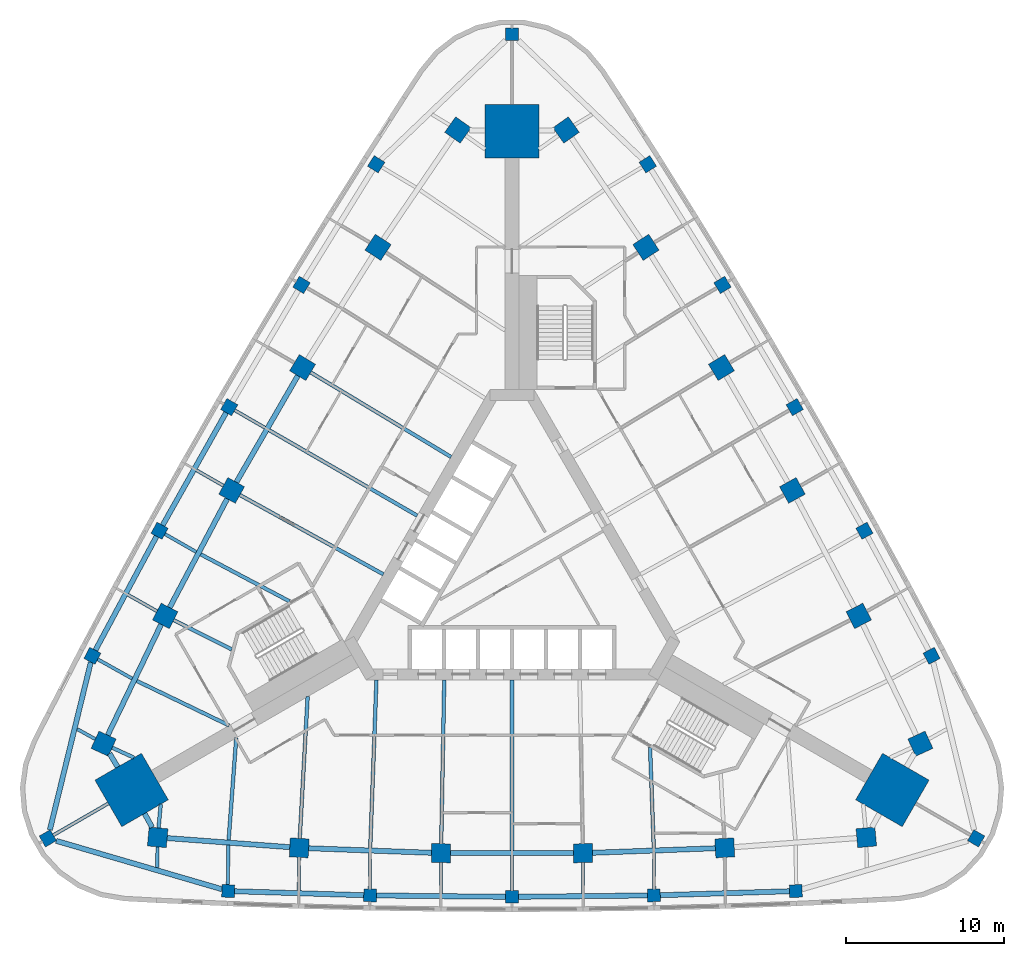
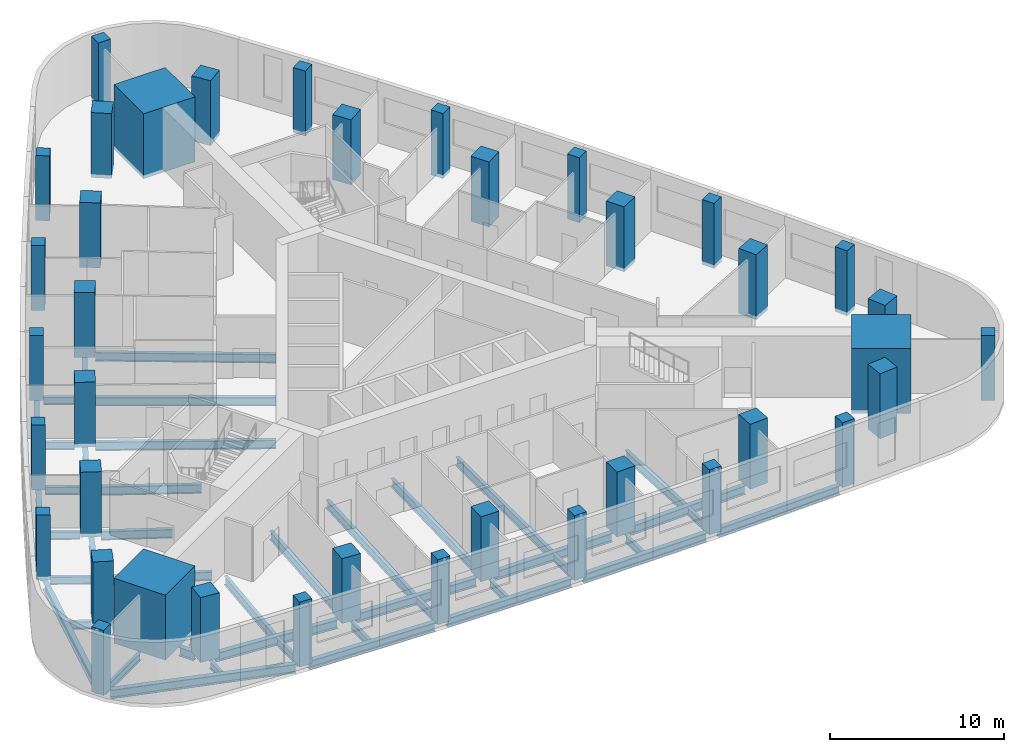
# One storey, part 1 of 11: 46 beams, 39 columns.
"""IFC4 building model written with IfcOpenShell, lengths in metres."""

from ifc_helpers import new_model, si_unit, direction, frame, origin, origin_2d, place, context, subcontext, project, spatial, rectangle, i_section, extrude, material, material_profile, profile_set, type_object, element, save


model = new_model("IFC4")

# Units and contexts
model_context = context("Model", 3, precision=1e-05, world=origin(), true_north=direction((0.0, 1.0)))
body_context = subcontext(model_context, "Body", "Model", "MODEL_VIEW")
ifc_project = project(units=[si_unit("LENGTHUNIT", "METRE"), si_unit("AREAUNIT", "SQUARE_METRE"), si_unit("VOLUMEUNIT", "CUBIC_METRE"), si_unit("PLANEANGLEUNIT", "RADIAN"), si_unit("MASSUNIT", "GRAM", prefix="KILO")], contexts=[model_context])

# Site, building, storey
site_placement = place(None, origin())
site = spatial("IfcSite", under=ifc_project, at=site_placement, CompositionType="ELEMENT")
building_placement = place(site_placement, origin())
building = spatial("IfcBuilding", under=site, at=building_placement, Name="Noor Cloister Tower", CompositionType="ELEMENT")
storey_placement = place(building_placement, frame((0.0, 0.0, 19.5)))
storey = spatial("IfcBuildingStorey", under=building, at=storey_placement, Name="L04", CompositionType="ELEMENT", Elevation=19.5)

# Columns
ifc_material_1 = material(Name="Concrete C80/95", Category="concrete")
ifc_material_profile_1 = material_profile(ifc_material_1, rectangle(XDim=3.39990234375, YDim=3.39990234375, at=origin_2d()), Name="RC 3400x3400")
ifc_profile_set_1 = profile_set([ifc_material_profile_1], Name="Concrete C80/95")
column_type_1 = type_object("IfcColumnType", Name="Corner pier 3400 x 3400 C80/95", PredefinedType="COLUMN", material=ifc_profile_set_1)
for number, where, z_axis, x_axis, name in (
    (1, (0.0, 27.7890625, -0.25), (0.0, 0.0, 1.0), (0.0, 1.0, 0.0), "Corner pier N L04"),
    (2, (-24.06591796875, -13.89453125, -0.25), (0.0, 0.0, 1.0), (-0.866025403784, -0.5, 0.0), "Corner pier SW L04"),
    (3, (24.06591796875, -13.89453125, -0.25), (0.0, 0.0, 1.0), (0.866025403784, -0.5, 0.0), "Corner pier SE L04"),
):
    element("IfcColumn", number, at=place(storey_placement, frame(where, z_axis=z_axis, x_axis=x_axis)), inside=storey, type_object=column_type_1, Name=name, PredefinedType="COLUMN", context=body_context, shape_type="SweptSolid", body=[
        extrude(rectangle(XDim=3.39990234375, YDim=3.39990234375, at=origin_2d()), origin(), (0.0, 0.0, 1.0), 4.550048828125),
    ])
ifc_material_2 = material(Name="Concrete C80/95", Category="concrete")
ifc_material_profile_2 = material_profile(ifc_material_2, rectangle(XDim=1.199951171875, YDim=1.199951171875, at=origin_2d()), Name="Podium column 1200")
ifc_profile_set_2 = profile_set([ifc_material_profile_2], Name="Concrete C80/95")
column_type_2 = type_object("IfcColumnType", Name="Podium column 1200", PredefinedType="COLUMN", material=ifc_profile_set_2)
for number, where, z_axis, x_axis, name in (
    (4, (-3.421142578125, 27.85986328125, -0.25), (0.0, 0.0, 1.0), (-0.815983256934, 0.578075535205, 0.0), "Column NW 00"),
    (5, (-8.474853515625, 20.43798828125, -0.25), (0.0, 0.0, 1.0), (-0.836867705394, 0.547405191489, 0.0), "Column NW 02"),
    (6, (-13.249755859375, 12.833740234375, -0.25), (0.0, 0.0, 1.0), (-0.856599929156, 0.515981163775, 0.0), "Column NW 04"),
    (7, (-17.7392578125, 5.0576171875, -0.25), (0.0, 0.0, 1.0), (-0.875152760281, 0.483846717641, 0.0), "Column NW 06"),
    (8, (-21.937255859375, -2.879638671875, -0.25), (0.0, 0.0, 1.0), (-0.89250065469, 0.451046096733, 0.0), "Column NW 08"),
    (9, (-25.837890625, -10.96728515625, -0.25), (0.0, 0.0, 1.0), (-0.908619727261, 0.417624461966, 0.0), "Column NW 10"),
    (10, (-22.416748046875, -16.892578125, -0.25), (0.0, 0.0, 1.0), (-0.092636470327, -0.995699997171, 0.0), "Column S 00"),
    (11, (-13.46240234375, -17.558349609375, -0.25), (0.0, 0.0, 1.0), (-0.055632949296, -0.998451288222, 0.0), "Column S 02"),
    (12, (-4.489501953125, -17.8916015625, -0.25), (0.0, 0.0, 1.0), (-0.018552831126, -0.999827881416, 0.0), "Column S 04"),
    (13, (4.489501953125, -17.8916015625, -0.25), (0.0, 0.0, 1.0), (0.018552831126, -0.999827881416, 0.0), "Column S 06"),
    (14, (13.46240234375, -17.558349609375, -0.25), (0.0, 0.0, 1.0), (0.055632949296, -0.998451288222, 0.0), "Column S 08"),
    (15, (22.416748046875, -16.892578125, -0.25), (0.0, 0.0, 1.0), (0.092636470327, -0.995699997171, 0.0), "Column S 10"),
    (16, (25.837890625, -10.96728515625, -0.25), (0.0, 0.0, 1.0), (0.908619727261, 0.417624461966, 0.0), "Column NE 00"),
    (17, (21.937255859375, -2.879638671875, -0.25), (0.0, 0.0, 1.0), (0.89250065469, 0.451046096733, 0.0), "Column NE 02"),
    (18, (17.7392578125, 5.0576171875, -0.25), (0.0, 0.0, 1.0), (0.875152760281, 0.483846717641, 0.0), "Column NE 04"),
    (19, (13.249755859375, 12.833740234375, -0.25), (0.0, 0.0, 1.0), (0.856599929156, 0.515981163775, 0.0), "Column NE 06"),
    (20, (8.474853515625, 20.43798828125, -0.25), (0.0, 0.0, 1.0), (0.836867705394, 0.547405191489, 0.0), "Column NE 08"),
    (21, (3.421142578125, 27.85986328125, -0.25), (0.0, 0.0, 1.0), (0.815983256934, 0.578075535205, 0.0), "Column NE 10"),
):
    element("IfcColumn", number, at=place(storey_placement, frame(where, z_axis=z_axis, x_axis=x_axis)), inside=storey, type_object=column_type_2, Name=name, PredefinedType="COLUMN", context=body_context, shape_type="SweptSolid", body=[
        extrude(rectangle(XDim=1.199951171875, YDim=1.199951171875, at=origin_2d()), origin(), (0.0, 0.0, 1.0), 4.550048828125),
    ])
ifc_material_3 = material(Name="Concrete C60/75", Category="concrete")
ifc_material_profile_3 = material_profile(ifc_material_3, rectangle(XDim=0.800048828125, YDim=0.800048828125, at=origin_2d()), Name="Podium column 800")
ifc_profile_set_3 = profile_set([ifc_material_profile_3], Name="Concrete C60/75")
column_type_3 = type_object("IfcColumnType", Name="Podium column 800", PredefinedType="COLUMN", material=ifc_profile_set_3)
for number, where, z_axis, x_axis, name in (
    (22, (0.0, 33.9130859375, -0.25), (0.0, 0.0, 1.0), (0.0, 1.0, 0.0), "Perimeter column N"),
    (23, (-8.59228515625, 25.694580078125, -0.25), (0.0, 0.0, 1.0), (-0.844762079338, 0.535142064607, 0.0), "Perimeter column NW 01"),
    (24, (-13.31982421875, 18.059326171875, -0.25), (0.0, 0.0, 1.0), (-0.855574189811, 0.517680215702, 0.0), "Perimeter column NW 03"),
    (25, (-17.8896484375, 10.32861328125, -0.25), (0.0, 0.0, 1.0), (-0.866025403784, 0.5, 0.0), "Perimeter column NW 05"),
    (26, (-22.2998046875, 2.505615234375, -0.25), (0.0, 0.0, 1.0), (-0.87611131274, 0.482108875348, 0.0), "Perimeter column NW 07"),
    (27, (-26.54833984375, -5.406005859375, -0.25), (0.0, 0.0, 1.0), (-0.885827662253, 0.464014388557, 0.0), "Perimeter column NW 09"),
    (28, (-29.36962890625, -16.95654296875, -0.25), (0.0, 0.0, 1.0), (-0.866025403784, -0.5, 0.0), "Perimeter column SW"),
    (29, (-17.955810546875, -20.288330078125, -0.25), (0.0, 0.0, 1.0), (-0.041065582914, -0.999156453164, 0.0), "Perimeter column S 01"),
    (30, (-8.979736328125, -20.56494140625, -0.25), (0.0, 0.0, 1.0), (-0.020537122929, -0.99978909105, 0.0), "Perimeter column S 03"),
    (31, (0.0, -20.6572265625, -0.25), (0.0, 0.0, 1.0), (0.0, -1.0, 0.0), "Perimeter column S 05"),
    (32, (8.979736328125, -20.56494140625, -0.25), (0.0, 0.0, 1.0), (0.020537122929, -0.99978909105, 0.0), "Perimeter column S 07"),
    (33, (17.955810546875, -20.288330078125, -0.25), (0.0, 0.0, 1.0), (0.041065582914, -0.999156453164, 0.0), "Perimeter column S 09"),
    (34, (29.36962890625, -16.95654296875, -0.25), (0.0, 0.0, 1.0), (0.866025403784, -0.5, 0.0), "Perimeter column SE"),
    (35, (26.54833984375, -5.406005859375, -0.25), (0.0, 0.0, 1.0), (0.885827662253, 0.464014388557, 0.0), "Perimeter column NE 01"),
    (36, (22.2998046875, 2.505615234375, -0.25), (0.0, 0.0, 1.0), (0.87611131274, 0.482108875348, 0.0), "Perimeter column NE 03"),
    (37, (17.8896484375, 10.32861328125, -0.25), (0.0, 0.0, 1.0), (0.866025403784, 0.5, 0.0), "Perimeter column NE 05"),
    (38, (13.31982421875, 18.059326171875, -0.25), (0.0, 0.0, 1.0), (0.855574189811, 0.517680215702, 0.0), "Perimeter column NE 07"),
    (39, (8.59228515625, 25.694580078125, -0.25), (0.0, 0.0, 1.0), (0.844762079338, 0.535142064607, 0.0), "Perimeter column NE 09"),
):
    element("IfcColumn", number, at=place(storey_placement, frame(where, z_axis=z_axis, x_axis=x_axis)), inside=storey, type_object=column_type_3, Name=name, PredefinedType="COLUMN", context=body_context, shape_type="SweptSolid", body=[
        extrude(rectangle(XDim=0.800048828125, YDim=0.800048828125, at=origin_2d()), origin(), (0.0, 0.0, 1.0), 4.550048828125),
    ])

# Beams
ifc_material_4 = material(Name="Steel ASTM A992 Gr 50", Category="steel")
ifc_material_profile_4 = material_profile(ifc_material_4, i_section(OverallWidth=0.324951171875, OverallDepth=0.612060546875, WebThickness=0.0126953125, FlangeThickness=0.01904296875, FilletRadius=0.0126953125, at=origin_2d()), Name="W610x155")
ifc_profile_set_4 = profile_set([ifc_material_profile_4], Name="Steel ASTM A992 Gr 50")
beam_type_1 = type_object("IfcBeamType", Name="Podium column line beam W610x155", PredefinedType="BEAM", material=ifc_profile_set_4)
beam_1_placement = place(storey_placement, frame((-13.5498046875, 12.314208984375, -0.555908203125), z_axis=(-0.499990506207, -0.866030884959, 0.0), x_axis=(0.866030884959, -0.499990506207, 0.0)))
element("IfcBeam", 40, at=beam_1_placement, inside=storey, type_object=beam_type_1, Name="Podium column line beam NW 04 L04", PredefinedType="BEAM", context=body_context, shape_type="SweptSolid", body=[
    extrude(i_section(OverallWidth=0.324951171875, OverallDepth=0.612060546875, WebThickness=0.0126953125, FlangeThickness=0.01904296875, FilletRadius=0.0126953125, at=origin_2d()), origin(), (0.0, 0.0, 1.0), 7.779052734375),
])
for number, where, z_axis, x_axis, name in (
    (41, (-18.019775390625, 4.527099609375, -0.555908203125), (-0.467547366886, -0.883968019624, 0.0), (0.883968019624, -0.467547366886, 0.0), "Podium column line beam NW 06 L04"),
    (42, (-22.197998046875, -3.420166015625, -0.555908203125), (-0.434400589533, -0.900719783181, 0.0), (0.900719783181, -0.434400589533, 0.0), "Podium column line beam NW 08 L04"),
):
    element("IfcBeam", number, at=place(storey_placement, frame(where, z_axis=z_axis, x_axis=x_axis)), inside=storey, type_object=beam_type_1, Name=name, PredefinedType="BEAM", context=body_context, shape_type="SweptSolid", body=[
        extrude(i_section(OverallWidth=0.324951171875, OverallDepth=0.612060546875, WebThickness=0.0126953125, FlangeThickness=0.01904296875, FilletRadius=0.0126953125, at=origin_2d()), origin(), (0.0, 0.0, 1.0), 7.77880859375),
    ])
for number, where, z_axis, x_axis, name in (
    (43, (-21.818359375, -16.93701171875, -0.555908203125), (0.997246218275, -0.074161850945, 0.0), (0.074161850945, 0.997246218275, 0.0), "Podium column line beam S 00 L04"),
    (44, (-12.86279296875, -17.58056640625, -0.555908203125), (0.999311691731, -0.037096398343, 0.0), (0.037096398343, 0.999311691731, 0.0), "Podium column line beam S 02 L04"),
):
    element("IfcBeam", number, at=place(storey_placement, frame(where, z_axis=z_axis, x_axis=x_axis)), inside=storey, type_object=beam_type_1, Name=name, PredefinedType="BEAM", context=body_context, shape_type="SweptSolid", body=[
        extrude(i_section(OverallWidth=0.324951171875, OverallDepth=0.612060546875, WebThickness=0.0126953125, FlangeThickness=0.01904296875, FilletRadius=0.0126953125, at=origin_2d()), origin(), (0.0, 0.0, 1.0), 7.779052734375),
    ])
beam_2_placement = place(storey_placement, frame((-3.889404296875, -17.8916015625, -0.555908203125), z_axis=(1.0, 0.0, 0.0), x_axis=(0.0, 1.0, 0.0)))
element("IfcBeam", 45, at=beam_2_placement, inside=storey, type_object=beam_type_1, Name="Podium column line beam S 04 L04", PredefinedType="BEAM", context=body_context, shape_type="SweptSolid", body=[
    extrude(i_section(OverallWidth=0.324951171875, OverallDepth=0.612060546875, WebThickness=0.0126953125, FlangeThickness=0.01904296875, FilletRadius=0.0126953125, at=origin_2d()), origin(), (0.0, 0.0, 1.0), 7.77880859375),
])
beam_3_placement = place(storey_placement, frame((5.089111328125, -17.869140625, -0.555908203125), z_axis=(0.999311691731, 0.037096398343, 0.0), x_axis=(-0.037096398343, 0.999311691731, 0.0)))
element("IfcBeam", 46, at=beam_3_placement, inside=storey, type_object=beam_type_1, Name="Podium column line beam S 06 L04", PredefinedType="BEAM", context=body_context, shape_type="SweptSolid", body=[
    extrude(i_section(OverallWidth=0.324951171875, OverallDepth=0.612060546875, WebThickness=0.0126953125, FlangeThickness=0.01904296875, FilletRadius=0.0126953125, at=origin_2d()), origin(), (0.0, 0.0, 1.0), 7.779052734375),
])
for number, where, z_axis, x_axis, name in (
    (47, (-25.46240234375, -11.58740234375, -0.555908203125), (0.517698861359, -0.855562907651, 0.0), (0.855562907651, 0.517698861359, 0.0), "Podium end beam NW 10 L04"),
    (48, (-22.76611328125, -16.257568359375, -0.555908203125), (-0.48185292196, 0.876252110753, 0.0), (-0.876252110753, -0.48185292196, 0.0), "Podium end beam S 00 L04"),
):
    element("IfcBeam", number, at=place(storey_placement, frame(where, z_axis=z_axis, x_axis=x_axis)), inside=storey, type_object=beam_type_1, Name=name, PredefinedType="BEAM", context=body_context, shape_type="SweptSolid", body=[
        extrude(i_section(OverallWidth=0.324951171875, OverallDepth=0.612060546875, WebThickness=0.0126953125, FlangeThickness=0.01904296875, FilletRadius=0.0126953125, at=origin_2d()), origin(), (0.0, 0.0, 1.0), 0.99658203125),
    ])
ifc_material_5 = material(Name="Steel ASTM A992 Gr 50", Category="steel")
ifc_material_profile_5 = material_profile(ifc_material_5, i_section(OverallWidth=0.324951171875, OverallDepth=0.616943359375, WebThickness=0.013916015625, FlangeThickness=0.021484375, FilletRadius=0.0126953125, at=origin_2d()), Name="W610x174")
ifc_profile_set_5 = profile_set([ifc_material_profile_5], Name="Steel ASTM A992 Gr 50")
beam_type_2 = type_object("IfcBeamType", Name="Podium perimeter beam W610x174", PredefinedType="BEAM", material=ifc_profile_set_5)
for number, where, z_axis, x_axis, name in (
    (49, (-18.086181640625, 9.980224609375, -0.55859375), (-0.491071539523, -0.871119247331, 0.0), (0.871119247331, -0.491071539523, 0.0), "Podium perimeter beam 04 L04"),
    (50, (-22.489013671875, 2.1533203125, -0.55859375), (-0.47307258725, -0.881023454394, 0.0), (0.881023454394, -0.47307258725, 0.0), "Podium perimeter beam 05 L04"),
):
    element("IfcBeam", number, at=place(storey_placement, frame(where, z_axis=z_axis, x_axis=x_axis)), inside=storey, type_object=beam_type_2, Name=name, PredefinedType="BEAM", context=body_context, shape_type="SweptSolid", body=[
        extrude(i_section(OverallWidth=0.324951171875, OverallDepth=0.616943359375, WebThickness=0.013916015625, FlangeThickness=0.021484375, FilletRadius=0.0126953125, at=origin_2d()), origin(), (0.0, 0.0, 1.0), 8.18017578125),
    ])
for number, where, z_axis, x_axis, name in (
    (51, (-26.64599609375, -5.806396484375, -0.55859375), (-0.237289539542, -0.971438971024, 0.0), (0.971438971024, -0.237289539542, 0.0), "Podium perimeter beam 06 L04"),
    (52, (-28.83837890625, -17.111572265625, -0.55859375), (0.959935397728, -0.280221398522, 0.0), (0.280221398522, 0.959935397728, 0.0), "Podium perimeter beam 07 L04"),
):
    element("IfcBeam", number, at=place(storey_placement, frame(where, z_axis=z_axis, x_axis=x_axis)), inside=storey, type_object=beam_type_2, Name=name, PredefinedType="BEAM", context=body_context, shape_type="SweptSolid", body=[
        extrude(i_section(OverallWidth=0.324951171875, OverallDepth=0.616943359375, WebThickness=0.013916015625, FlangeThickness=0.021484375, FilletRadius=0.0126953125, at=origin_2d()), origin(), (0.0, 0.0, 1.0), 10.924560546875),
    ])
for number, where, z_axis, x_axis, name in (
    (53, (-17.55615234375, -20.30078125, -0.55859375), (0.999525578868, -0.030799629673, 0.0), (0.030799629673, 0.999525578868, 0.0), "Podium perimeter beam 08 L04"),
    (54, (-8.579833984375, -20.569091796875, -0.55859375), (0.999947297246, -0.010266583204, 0.0), (0.010266583204, 0.999947297246, 0.0), "Podium perimeter beam 09 L04"),
    (55, (0.39990234375, -20.653076171875, -0.55859375), (0.999947297246, 0.010266583204, 0.0), (-0.010266583204, 0.999947297246, 0.0), "Podium perimeter beam 10 L04"),
    (56, (9.379638671875, -20.552734375, -0.55859375), (0.999525578868, 0.030799629673, 0.0), (-0.030799629673, 0.999525578868, 0.0), "Podium perimeter beam 11 L04"),
):
    element("IfcBeam", number, at=place(storey_placement, frame(where, z_axis=z_axis, x_axis=x_axis)), inside=storey, type_object=beam_type_2, Name=name, PredefinedType="BEAM", context=body_context, shape_type="SweptSolid", body=[
        extrude(i_section(OverallWidth=0.324951171875, OverallDepth=0.616943359375, WebThickness=0.013916015625, FlangeThickness=0.021484375, FilletRadius=0.0126953125, at=origin_2d()), origin(), (0.0, 0.0, 1.0), 8.180419921875),
    ])
ifc_material_6 = material(Name="Steel ASTM A992 Gr 50", Category="steel")
ifc_material_profile_6 = material_profile(ifc_material_6, i_section(OverallWidth=0.22900390625, OverallDepth=0.612060546875, WebThickness=0.011962890625, FlangeThickness=0.01953125, FilletRadius=0.0126953125, at=origin_2d()), Name="W610x125")
ifc_profile_set_6 = profile_set([ifc_material_profile_6], Name="Steel ASTM A992 Gr 50")
beam_type_3 = type_object("IfcBeamType", Name="Podium radial beam W610x125", PredefinedType="BEAM", material=ifc_profile_set_6)
beam_4_placement = place(storey_placement, frame((-12.73583984375, 12.524169921875, -0.555908203125), z_axis=(0.856606308575, -0.515970572911, 0.0), x_axis=(0.515970572911, 0.856606308575, 0.0)))
element("IfcBeam", 57, at=beam_4_placement, inside=storey, type_object=beam_type_3, Name="Podium radial beam NW 04 L04", PredefinedType="BEAM", context=body_context, shape_type="SweptSolid", body=[
    extrude(i_section(OverallWidth=0.22900390625, OverallDepth=0.612060546875, WebThickness=0.011962890625, FlangeThickness=0.01953125, FilletRadius=0.0126953125, at=origin_2d()), origin(), (0.0, 0.0, 1.0), 10.365234375),
])
beam_5_placement = place(storey_placement, frame((-15.353759765625, 8.864501953125, -0.555908203125), z_axis=(0.866025607992, -0.499999646302, 0.0), x_axis=(0.499999646302, 0.866025607992, 0.0)))
element("IfcBeam", 58, at=beam_5_placement, inside=storey, type_object=beam_type_3, Name="Podium radial beam NW 05 L04", PredefinedType="BEAM", context=body_context, shape_type="SweptSolid", body=[
    extrude(i_section(OverallWidth=0.22900390625, OverallDepth=0.612060546875, WebThickness=0.011962890625, FlangeThickness=0.01953125, FilletRadius=0.0126953125, at=origin_2d()), origin(), (0.0, 0.0, 1.0), 10.80078125),
])
beam_6_placement = place(storey_placement, frame((-17.214111328125, 4.767333984375, -0.555908203125), z_axis=(0.875152039929, -0.483848020568, 0.0), x_axis=(0.483848020568, 0.875152039929, 0.0)))
element("IfcBeam", 59, at=beam_6_placement, inside=storey, type_object=beam_type_3, Name="Podium radial beam NW 06 L04", PredefinedType="BEAM", context=body_context, shape_type="SweptSolid", body=[
    extrude(i_section(OverallWidth=0.22900390625, OverallDepth=0.612060546875, WebThickness=0.011962890625, FlangeThickness=0.01953125, FilletRadius=0.0126953125, at=origin_2d()), origin(), (0.0, 0.0, 1.0), 10.364990234375),
])
beam_7_placement = place(storey_placement, frame((-19.694580078125, 1.01318359375, -0.555908203125), z_axis=(0.883972630555, -0.467538649129, 0.0), x_axis=(0.467538649129, 0.883972630555, 0.0)))
element("IfcBeam", 60, at=beam_7_placement, inside=storey, type_object=beam_type_3, Name="Podium radial beam NW 07 L04", PredefinedType="BEAM", context=body_context, shape_type="SweptSolid", body=[
    extrude(i_section(OverallWidth=0.22900390625, OverallDepth=0.612060546875, WebThickness=0.011962890625, FlangeThickness=0.01953125, FilletRadius=0.0126953125, at=origin_2d()), origin(), (0.0, 0.0, 1.0), 6.36328125),
])
beam_8_placement = place(storey_placement, frame((-21.401611328125, -3.150146484375, -0.555908203125), z_axis=(0.892482631296, -0.451081758481, 0.0), x_axis=(0.451081758481, 0.892482631296, 0.0)))
element("IfcBeam", 61, at=beam_8_placement, inside=storey, type_object=beam_type_3, Name="Podium radial beam NW 08 L04", PredefinedType="BEAM", context=body_context, shape_type="SweptSolid", body=[
    extrude(i_section(OverallWidth=0.22900390625, OverallDepth=0.612060546875, WebThickness=0.011962890625, FlangeThickness=0.01953125, FilletRadius=0.0126953125, at=origin_2d()), origin(), (0.0, 0.0, 1.0), 4.110595703125),
])
beam_9_placement = place(storey_placement, frame((-23.7412109375, -6.993896484375, -0.555908203125), z_axis=(0.900702438264, -0.43443655199, 0.0), x_axis=(0.43443655199, 0.900702438264, 0.0)))
element("IfcBeam", 62, at=beam_9_placement, inside=storey, type_object=beam_type_3, Name="Podium radial beam NW 09 L04", PredefinedType="BEAM", context=body_context, shape_type="SweptSolid", body=[
    extrude(i_section(OverallWidth=0.22900390625, OverallDepth=0.612060546875, WebThickness=0.011962890625, FlangeThickness=0.01953125, FilletRadius=0.0126953125, at=origin_2d()), origin(), (0.0, 0.0, 1.0), 6.489013671875),
])
for number, where, z_axis, x_axis, name in (
    (63, (-25.292724609375, -11.2177734375, -0.555908203125), (0.908602193803, -0.417662607157, 0.0), (0.417662607157, 0.908602193803, 0.0), "Podium radial beam NW 10 L04"),
    (64, (-22.361328125, -16.295166015625, -0.555908203125), (0.09269423525, 0.995694621233, 0.0), (-0.995694621233, 0.09269423525, 0.0), "Podium radial beam S 00 L04"),
):
    element("IfcBeam", number, at=place(storey_placement, frame(where, z_axis=z_axis, x_axis=x_axis)), inside=storey, type_object=beam_type_3, Name=name, PredefinedType="BEAM", context=body_context, shape_type="SweptSolid", body=[
        extrude(i_section(OverallWidth=0.22900390625, OverallDepth=0.612060546875, WebThickness=0.011962890625, FlangeThickness=0.01953125, FilletRadius=0.0126953125, at=origin_2d()), origin(), (0.0, 0.0, 1.0), 1.50927734375),
    ])
beam_10_placement = place(storey_placement, frame((-17.927490234375, -17.0634765625, -0.555908203125), z_axis=(0.074118366359, 0.997249451125, 0.0), x_axis=(-0.997249451125, 0.074118366359, 0.0)))
element("IfcBeam", 65, at=beam_10_placement, inside=storey, type_object=beam_type_3, Name="Podium radial beam S 01 L04", PredefinedType="BEAM", context=body_context, shape_type="SweptSolid", body=[
    extrude(i_section(OverallWidth=0.22900390625, OverallDepth=0.612060546875, WebThickness=0.011962890625, FlangeThickness=0.01953125, FilletRadius=0.0126953125, at=origin_2d()), origin(), (0.0, 0.0, 1.0), 6.489013671875),
])
beam_11_placement = place(storey_placement, frame((-13.428955078125, -16.959228515625, -0.555908203125), z_axis=(0.055623451445, 0.99845181739, 0.0), x_axis=(-0.99845181739, 0.055623451445, 0.0)))
element("IfcBeam", 66, at=beam_11_placement, inside=storey, type_object=beam_type_3, Name="Podium radial beam S 02 L04", PredefinedType="BEAM", context=body_context, shape_type="SweptSolid", body=[
    extrude(i_section(OverallWidth=0.22900390625, OverallDepth=0.612060546875, WebThickness=0.011962890625, FlangeThickness=0.01953125, FilletRadius=0.0126953125, at=origin_2d()), origin(), (0.0, 0.0, 1.0), 8.989013671875),
])
beam_12_placement = place(storey_placement, frame((-8.969970703125, -17.5625, -0.555908203125), z_axis=(0.037097363231, 0.999311655912, 0.0), x_axis=(-0.999311655912, 0.037097363231, 0.0)))
element("IfcBeam", 67, at=beam_12_placement, inside=storey, type_object=beam_type_3, Name="Podium radial beam S 03 L04", PredefinedType="BEAM", context=body_context, shape_type="SweptSolid", body=[
    extrude(i_section(OverallWidth=0.22900390625, OverallDepth=0.612060546875, WebThickness=0.011962890625, FlangeThickness=0.01953125, FilletRadius=0.0126953125, at=origin_2d()), origin(), (0.0, 0.0, 1.0), 10.6416015625),
])
beam_13_placement = place(storey_placement, frame((-4.478515625, -17.29150390625, -0.555908203125), z_axis=(0.018560692037, 0.999827735518, 0.0), x_axis=(-0.999827735518, 0.018560692037, 0.0)))
element("IfcBeam", 68, at=beam_13_placement, inside=storey, type_object=beam_type_3, Name="Podium radial beam S 04 L04", PredefinedType="BEAM", context=body_context, shape_type="SweptSolid", body=[
    extrude(i_section(OverallWidth=0.22900390625, OverallDepth=0.612060546875, WebThickness=0.011962890625, FlangeThickness=0.01953125, FilletRadius=0.0126953125, at=origin_2d()), origin(), (0.0, 0.0, 1.0), 10.364990234375),
])
beam_14_placement = place(storey_placement, frame((0.0, -17.72900390625, -0.555908203125), z_axis=(0.0, 1.0, 0.0), x_axis=(-1.0, 0.0, 0.0)))
element("IfcBeam", 69, at=beam_14_placement, inside=storey, type_object=beam_type_3, Name="Podium radial beam S 05 L04", PredefinedType="BEAM", context=body_context, shape_type="SweptSolid", body=[
    extrude(i_section(OverallWidth=0.22900390625, OverallDepth=0.612060546875, WebThickness=0.011962890625, FlangeThickness=0.01953125, FilletRadius=0.0126953125, at=origin_2d()), origin(), (0.0, 0.0, 1.0), 10.80078125),
])
beam_15_placement = place(storey_placement, frame((8.969970703125, -17.5625, -0.555908203125), z_axis=(-0.037101061142, 0.999311518628, 0.0), x_axis=(-0.999311518628, -0.037101061142, 0.0)))
element("IfcBeam", 70, at=beam_15_placement, inside=storey, type_object=beam_type_3, Name="Podium radial beam S 07 L04", PredefinedType="BEAM", context=body_context, shape_type="SweptSolid", body=[
    extrude(i_section(OverallWidth=0.22900390625, OverallDepth=0.612060546875, WebThickness=0.011962890625, FlangeThickness=0.01953125, FilletRadius=0.0126953125, at=origin_2d()), origin(), (0.0, 0.0, 1.0), 6.36328125),
])
ifc_material_7 = material(Name="Steel ASTM A992 Gr 50", Category="steel")
ifc_material_profile_7 = material_profile(ifc_material_7, i_section(OverallWidth=0.208984375, OverallDepth=0.532958984375, WebThickness=0.01025390625, FlangeThickness=0.015625, FilletRadius=0.0126953125, at=origin_2d()), Name="W530x92")
ifc_profile_set_7 = profile_set([ifc_material_profile_7], Name="Steel ASTM A992 Gr 50")
beam_type_4 = type_object("IfcBeamType", Name="Podium stub beam W530x92", PredefinedType="BEAM", material=ifc_profile_set_7)
beam_16_placement = place(storey_placement, frame((-15.63525390625, 9.027099609375, -0.5166015625), z_axis=(-0.86602503688, 0.500000635496, 0.0), x_axis=(-0.500000635496, -0.86602503688, 0.0)))
element("IfcBeam", 71, at=beam_16_placement, inside=storey, type_object=beam_type_4, Name="Podium stub beam NW 05 L04", PredefinedType="BEAM", context=body_context, shape_type="SweptSolid", body=[
    extrude(i_section(OverallWidth=0.208984375, OverallDepth=0.532958984375, WebThickness=0.01025390625, FlangeThickness=0.015625, FilletRadius=0.0126953125, at=origin_2d()), origin(), (0.0, 0.0, 1.0), 2.203125),
])
beam_17_placement = place(storey_placement, frame((-18.259765625, 5.356201171875, -0.5166015625), z_axis=(-0.867389720101, 0.497629453974, 0.0), x_axis=(-0.497629453974, -0.867389720101, 0.0)))
element("IfcBeam", 72, at=beam_17_placement, inside=storey, type_object=beam_type_4, Name="Podium stub beam NW 06 L04", PredefinedType="BEAM", context=body_context, shape_type="SweptSolid", body=[
    extrude(i_section(OverallWidth=0.208984375, OverallDepth=0.532958984375, WebThickness=0.01025390625, FlangeThickness=0.015625, FilletRadius=0.0126953125, at=origin_2d()), origin(), (0.0, 0.0, 1.0), 1.95703125),
])
beam_18_placement = place(storey_placement, frame((-19.980224609375, 1.16845703125, -0.5166015625), z_axis=(-0.868954795395, 0.494891466446, 0.0), x_axis=(-0.494891466446, -0.868954795395, 0.0)))
element("IfcBeam", 73, at=beam_18_placement, inside=storey, type_object=beam_type_4, Name="Podium stub beam NW 07 L04", PredefinedType="BEAM", context=body_context, shape_type="SweptSolid", body=[
    extrude(i_section(OverallWidth=0.208984375, OverallDepth=0.532958984375, WebThickness=0.01025390625, FlangeThickness=0.015625, FilletRadius=0.0126953125, at=origin_2d()), origin(), (0.0, 0.0, 1.0), 2.277099609375),
])
beam_19_placement = place(storey_placement, frame((-22.460205078125, -2.583984375, -0.5166015625), z_axis=(-0.870610366402, 0.491973159748, 0.0), x_axis=(-0.491973159748, -0.870610366402, 0.0)))
element("IfcBeam", 74, at=beam_19_placement, inside=storey, type_object=beam_type_4, Name="Podium stub beam NW 08 L04", PredefinedType="BEAM", context=body_context, shape_type="SweptSolid", body=[
    extrude(i_section(OverallWidth=0.208984375, OverallDepth=0.532958984375, WebThickness=0.01025390625, FlangeThickness=0.015625, FilletRadius=0.0126953125, at=origin_2d()), origin(), (0.0, 0.0, 1.0), 2.1044921875),
])
beam_20_placement = place(storey_placement, frame((-24.03076171875, -6.84619140625, -0.5166015625), z_axis=(-0.872502684482, 0.488609317933, 0.0), x_axis=(-0.488609317933, -0.872502684482, 0.0)))
element("IfcBeam", 75, at=beam_20_placement, inside=storey, type_object=beam_type_4, Name="Podium stub beam NW 09 L04", PredefinedType="BEAM", context=body_context, shape_type="SweptSolid", body=[
    extrude(i_section(OverallWidth=0.208984375, OverallDepth=0.532958984375, WebThickness=0.01025390625, FlangeThickness=0.015625, FilletRadius=0.0126953125, at=origin_2d()), origin(), (0.0, 0.0, 1.0), 2.499267578125),
])
beam_21_placement = place(storey_placement, frame((-26.3642578125, -10.675537109375, -0.5166015625), z_axis=(-0.874735573686, 0.484600532531, 0.0), x_axis=(-0.484600532531, -0.874735573686, 0.0)))
element("IfcBeam", 76, at=beam_21_placement, inside=storey, type_object=beam_type_4, Name="Podium stub beam NW 10 L04", PredefinedType="BEAM", context=body_context, shape_type="SweptSolid", body=[
    extrude(i_section(OverallWidth=0.208984375, OverallDepth=0.532958984375, WebThickness=0.01025390625, FlangeThickness=0.015625, FilletRadius=0.0126953125, at=origin_2d()), origin(), (0.0, 0.0, 1.0), 1.31298828125),
])
beam_22_placement = place(storey_placement, frame((-22.427490234375, -17.494140625, -0.5166015625), z_axis=(-0.017661803966, -0.999844018175, 0.0), x_axis=(0.999844018175, -0.017661803966, 0.0)))
element("IfcBeam", 77, at=beam_22_placement, inside=storey, type_object=beam_type_4, Name="Podium stub beam S 00 L04", PredefinedType="BEAM", context=body_context, shape_type="SweptSolid", body=[
    extrude(i_section(OverallWidth=0.208984375, OverallDepth=0.532958984375, WebThickness=0.01025390625, FlangeThickness=0.015625, FilletRadius=0.0126953125, at=origin_2d()), origin(), (0.0, 0.0, 1.0), 1.313232421875),
])
beam_23_placement = place(storey_placement, frame((-17.9443359375, -17.38818359375, -0.5166015625), z_axis=(-0.013089929593, -0.999914323201, 0.0), x_axis=(0.999914323201, -0.013089929593, 0.0)))
element("IfcBeam", 78, at=beam_23_placement, inside=storey, type_object=beam_type_4, Name="Podium stub beam S 01 L04", PredefinedType="BEAM", context=body_context, shape_type="SweptSolid", body=[
    extrude(i_section(OverallWidth=0.208984375, OverallDepth=0.532958984375, WebThickness=0.01025390625, FlangeThickness=0.015625, FilletRadius=0.0126953125, at=origin_2d()), origin(), (0.0, 0.0, 1.0), 2.499267578125),
])
beam_24_placement = place(storey_placement, frame((-13.468017578125, -18.158935546875, -0.5166015625), z_axis=(-0.009163285382, -0.999958016219, 0.0), x_axis=(0.999958016219, -0.009163285382, 0.0)))
element("IfcBeam", 79, at=beam_24_placement, inside=storey, type_object=beam_type_4, Name="Podium stub beam S 02 L04", PredefinedType="BEAM", context=body_context, shape_type="SweptSolid", body=[
    extrude(i_section(OverallWidth=0.208984375, OverallDepth=0.532958984375, WebThickness=0.01025390625, FlangeThickness=0.015625, FilletRadius=0.0126953125, at=origin_2d()), origin(), (0.0, 0.0, 1.0), 2.104736328125),
])
beam_25_placement = place(storey_placement, frame((-8.978271484375, -17.887451171875, -0.5166015625), z_axis=(-0.005788925298, -0.999983244032, 0.0), x_axis=(0.999983244032, -0.005788925298, 0.0)))
element("IfcBeam", 80, at=beam_25_placement, inside=storey, type_object=beam_type_4, Name="Podium stub beam S 03 L04", PredefinedType="BEAM", context=body_context, shape_type="SweptSolid", body=[
    extrude(i_section(OverallWidth=0.208984375, OverallDepth=0.532958984375, WebThickness=0.01025390625, FlangeThickness=0.015625, FilletRadius=0.0126953125, at=origin_2d()), origin(), (0.0, 0.0, 1.0), 2.27734375),
])
beam_26_placement = place(storey_placement, frame((-4.4912109375, -18.49169921875, -0.5166015625), z_axis=(-0.002869607648, -0.999995882667, 0.0), x_axis=(0.999995882667, -0.002869607648, 0.0)))
element("IfcBeam", 81, at=beam_26_placement, inside=storey, type_object=beam_type_4, Name="Podium stub beam S 04 L04", PredefinedType="BEAM", context=body_context, shape_type="SweptSolid", body=[
    extrude(i_section(OverallWidth=0.208984375, OverallDepth=0.532958984375, WebThickness=0.01025390625, FlangeThickness=0.015625, FilletRadius=0.0126953125, at=origin_2d()), origin(), (0.0, 0.0, 1.0), 1.956787109375),
])
beam_27_placement = place(storey_placement, frame((0.0, -18.053955078125, -0.5166015625), z_axis=(0.0, -1.0, 0.0), x_axis=(1.0, 0.0, 0.0)))
element("IfcBeam", 82, at=beam_27_placement, inside=storey, type_object=beam_type_4, Name="Podium stub beam S 05 L04", PredefinedType="BEAM", context=body_context, shape_type="SweptSolid", body=[
    extrude(i_section(OverallWidth=0.208984375, OverallDepth=0.532958984375, WebThickness=0.01025390625, FlangeThickness=0.015625, FilletRadius=0.0126953125, at=origin_2d()), origin(), (0.0, 0.0, 1.0), 2.203369140625),
])
beam_28_placement = place(storey_placement, frame((4.4912109375, -18.49169921875, -0.5166015625), z_axis=(0.002869607648, -0.999995882667, 0.0), x_axis=(0.999995882667, 0.002869607648, 0.0)))
element("IfcBeam", 83, at=beam_28_placement, inside=storey, type_object=beam_type_4, Name="Podium stub beam S 06 L04", PredefinedType="BEAM", context=body_context, shape_type="SweptSolid", body=[
    extrude(i_section(OverallWidth=0.208984375, OverallDepth=0.532958984375, WebThickness=0.01025390625, FlangeThickness=0.015625, FilletRadius=0.0126953125, at=origin_2d()), origin(), (0.0, 0.0, 1.0), 1.956787109375),
])
beam_29_placement = place(storey_placement, frame((8.978271484375, -17.887451171875, -0.5166015625), z_axis=(0.005788925298, -0.999983244032, 0.0), x_axis=(0.999983244032, 0.005788925298, 0.0)))
element("IfcBeam", 84, at=beam_29_placement, inside=storey, type_object=beam_type_4, Name="Podium stub beam S 07 L04", PredefinedType="BEAM", context=body_context, shape_type="SweptSolid", body=[
    extrude(i_section(OverallWidth=0.208984375, OverallDepth=0.532958984375, WebThickness=0.01025390625, FlangeThickness=0.015625, FilletRadius=0.0126953125, at=origin_2d()), origin(), (0.0, 0.0, 1.0), 2.27734375),
])
beam_30_placement = place(storey_placement, frame((-25.538330078125, -14.744384765625, -0.5166015625), z_axis=(-0.866001699761, -0.500041054325, 0.0), x_axis=(0.500041054325, -0.866001699761, 0.0)))
element("IfcBeam", 85, at=beam_30_placement, inside=storey, type_object=beam_type_4, Name="Podium corner stub beam SW L04", PredefinedType="BEAM", context=body_context, shape_type="SweptSolid", body=[
    extrude(i_section(OverallWidth=0.208984375, OverallDepth=0.532958984375, WebThickness=0.01025390625, FlangeThickness=0.015625, FilletRadius=0.0126953125, at=origin_2d()), origin(), (0.0, 0.0, 1.0), 4.024169921875),
])

save(model, "model.ifc")
